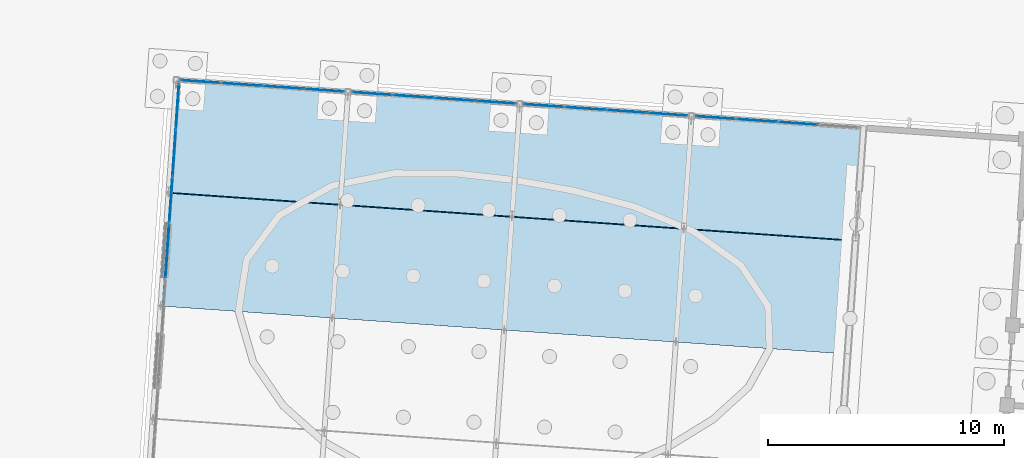
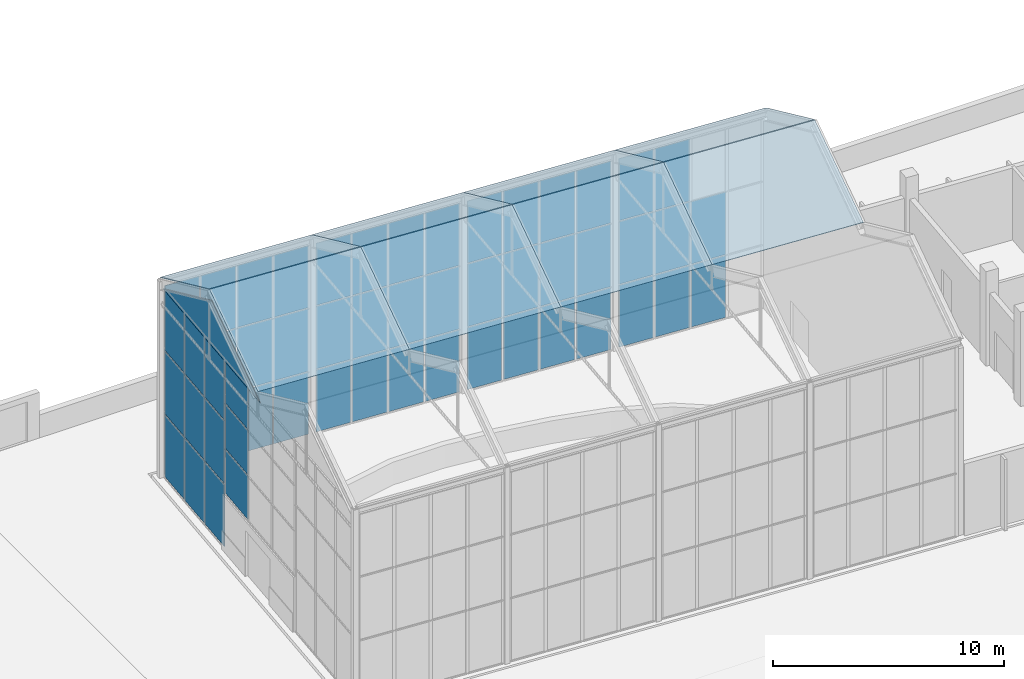
# One storey, part 72 of 157: 65 plates, 6 elements without a shape of their own.
"""IFC4 building model written with IfcOpenShell, lengths in metres."""

from ifc_helpers import new_model, si_unit, direction, frame, origin, origin_2d, place, context, subcontext, project, spatial, polyline, rectangle, outline, extrude, material, layer, layer_set, type_object, element, aggregate, save


model = new_model("IFC4")

# Units and contexts
model_context = context("Model", 3, precision=1e-05, world=origin(), true_north=direction((0.0, 1.0)))
body_context = subcontext(model_context, "Body", "Model", "MODEL_VIEW")
ifc_project = project(units=[si_unit("LENGTHUNIT", "METRE"), si_unit("AREAUNIT", "SQUARE_METRE"), si_unit("VOLUMEUNIT", "CUBIC_METRE"), si_unit("PLANEANGLEUNIT", "RADIAN"), si_unit("MASSUNIT", "GRAM", prefix="KILO")], contexts=[model_context])

# Site, building, storey
site_placement = place(None, origin())
site = spatial("IfcSite", under=ifc_project, at=site_placement, CompositionType="ELEMENT")
building_placement = place(site_placement, origin())
building = spatial("IfcBuilding", under=site, at=building_placement, Name="Windward Yard Aquatics Centre", CompositionType="ELEMENT")
storey_placement = place(building_placement, origin())
storey = spatial("IfcBuildingStorey", under=building, at=storey_placement, Name="L00", CompositionType="ELEMENT", Elevation=0.0)

# Curtain wall, plates
ifc_material_1 = material(Name="Aluminium curtain wall system", Category="aluminium")
curtain_wall_type = type_object("IfcCurtainWallType", Name="W curtain wall 1900", PredefinedType="NOTDEFINED", material=ifc_material_1)
curtain_wall_1_placement = place(storey_placement, origin())
curtain_wall_1 = element("IfcCurtainWall", 1, at=curtain_wall_1_placement, inside=storey, type_object=curtain_wall_type, Name="Wing north glazing L00 1", PredefinedType="NOTDEFINED")
ifc_material_2 = material(Name="Double glazed unit")
ifc_layer_1 = layer(ifc_material_2, 0.028076171875)
ifc_layer_set_1 = layer_set([ifc_layer_1], Name="W CW panel IGU 28")
plate_type_1 = type_object("IfcPlateType", Name="W CW panel IGU 28", PredefinedType="CURTAIN_PANEL", material=ifc_layer_set_1)
plate_1_placement = place(storey_placement, frame((74.210693359375, 138.46533203125, 0.06005859375), z_axis=(0.0, 0.0, 1.0), x_axis=(0.997564065823, -0.069756251182, 0.0)))
plate_1 = element("IfcPlate", 2, at=plate_1_placement, type_object=plate_type_1, Name="WCW1 panel 1.1", PredefinedType="CURTAIN_PANEL", context=body_context, shape_type="SweptSolid", body=[
    extrude(rectangle(XDim=1.67138671875, YDim=0.028076171875, at=origin_2d()), origin(), (0.0, 0.0, 1.0), 3.27587890625),
])
plate_2_placement = place(storey_placement, frame((74.210693359375, 138.46533203125, 3.39599609375), z_axis=(0.0, 0.0, 1.0), x_axis=(0.997564065823, -0.069756251182, 0.0)))
plate_2 = element("IfcPlate", 3, at=plate_2_placement, type_object=plate_type_1, Name="WCW1 panel 1.2", PredefinedType="CURTAIN_PANEL", context=body_context, shape_type="SweptSolid", body=[
    extrude(rectangle(XDim=1.67138671875, YDim=0.028076171875, at=origin_2d()), origin(), (0.0, 0.0, 1.0), 3.305908203125),
])
plate_3_placement = place(storey_placement, frame((74.210693359375, 138.46533203125, 6.761962890625), z_axis=(0.0, 0.0, 1.0), x_axis=(0.997564065823, -0.069756251182, 0.0)))
plate_3 = element("IfcPlate", 4, at=plate_3_placement, type_object=plate_type_1, Name="WCW1 panel 1.3", PredefinedType="CURTAIN_PANEL", context=body_context, shape_type="SweptSolid", body=[
    extrude(rectangle(XDim=1.67138671875, YDim=0.028076171875, at=origin_2d()), origin(), (0.0, 0.0, 1.0), 3.27587890625),
])
plate_4_placement = place(storey_placement, frame((75.952880859375, 138.343505859375, 0.06005859375), z_axis=(0.0, 0.0, 1.0), x_axis=(0.997564065823, -0.069756251182, 0.0)))
plate_4 = element("IfcPlate", 5, at=plate_4_placement, type_object=plate_type_1, Name="WCW1 panel 2.1", PredefinedType="CURTAIN_PANEL", context=body_context, shape_type="SweptSolid", body=[
    extrude(rectangle(XDim=1.701416015625, YDim=0.028076171875, at=origin_2d()), origin(), (0.0, 0.0, 1.0), 3.27587890625),
])
plate_5_placement = place(storey_placement, frame((75.952880859375, 138.343505859375, 3.39599609375), z_axis=(0.0, 0.0, 1.0), x_axis=(0.997564065823, -0.069756251182, 0.0)))
plate_5 = element("IfcPlate", 6, at=plate_5_placement, type_object=plate_type_1, Name="WCW1 panel 2.2", PredefinedType="CURTAIN_PANEL", context=body_context, shape_type="SweptSolid", body=[
    extrude(rectangle(XDim=1.701416015625, YDim=0.028076171875, at=origin_2d()), origin(), (0.0, 0.0, 1.0), 3.305908203125),
])
plate_6_placement = place(storey_placement, frame((75.952880859375, 138.343505859375, 6.761962890625), z_axis=(0.0, 0.0, 1.0), x_axis=(0.997564065823, -0.069756251182, 0.0)))
plate_6 = element("IfcPlate", 7, at=plate_6_placement, type_object=plate_type_1, Name="WCW1 panel 2.3", PredefinedType="CURTAIN_PANEL", context=body_context, shape_type="SweptSolid", body=[
    extrude(rectangle(XDim=1.701416015625, YDim=0.028076171875, at=origin_2d()), origin(), (0.0, 0.0, 1.0), 3.27587890625),
])
plate_7_placement = place(storey_placement, frame((77.710205078125, 138.220458984375, 0.06005859375), z_axis=(0.0, 0.0, 1.0), x_axis=(0.997564065823, -0.069756251182, 0.0)))
plate_7 = element("IfcPlate", 8, at=plate_7_placement, type_object=plate_type_1, Name="WCW1 panel 3.1", PredefinedType="CURTAIN_PANEL", context=body_context, shape_type="SweptSolid", body=[
    extrude(rectangle(XDim=1.701416015625, YDim=0.028076171875, at=origin_2d()), origin(), (0.0, 0.0, 1.0), 3.27587890625),
])
plate_8_placement = place(storey_placement, frame((77.710205078125, 138.220458984375, 3.39599609375), z_axis=(0.0, 0.0, 1.0), x_axis=(0.997564065823, -0.069756251182, 0.0)))
plate_8 = element("IfcPlate", 9, at=plate_8_placement, type_object=plate_type_1, Name="WCW1 panel 3.2", PredefinedType="CURTAIN_PANEL", context=body_context, shape_type="SweptSolid", body=[
    extrude(rectangle(XDim=1.701416015625, YDim=0.028076171875, at=origin_2d()), origin(), (0.0, 0.0, 1.0), 3.305908203125),
])
plate_9_placement = place(storey_placement, frame((77.710205078125, 138.220458984375, 6.761962890625), z_axis=(0.0, 0.0, 1.0), x_axis=(0.997564065823, -0.069756251182, 0.0)))
plate_9 = element("IfcPlate", 10, at=plate_9_placement, type_object=plate_type_1, Name="WCW1 panel 3.3", PredefinedType="CURTAIN_PANEL", context=body_context, shape_type="SweptSolid", body=[
    extrude(rectangle(XDim=1.701416015625, YDim=0.028076171875, at=origin_2d()), origin(), (0.0, 0.0, 1.0), 3.27587890625),
])
plate_10_placement = place(storey_placement, frame((79.452392578125, 138.0986328125, 0.06005859375), z_axis=(0.0, 0.0, 1.0), x_axis=(0.997564065823, -0.069756251182, 0.0)))
plate_10 = element("IfcPlate", 11, at=plate_10_placement, type_object=plate_type_1, Name="WCW1 panel 4.1", PredefinedType="CURTAIN_PANEL", context=body_context, shape_type="SweptSolid", body=[
    extrude(rectangle(XDim=1.67138671875, YDim=0.028076171875, at=origin_2d()), origin(), (0.0, 0.0, 1.0), 3.27587890625),
])
plate_11_placement = place(storey_placement, frame((79.452392578125, 138.0986328125, 3.39599609375), z_axis=(0.0, 0.0, 1.0), x_axis=(0.997564065823, -0.069756251182, 0.0)))
plate_11 = element("IfcPlate", 12, at=plate_11_placement, type_object=plate_type_1, Name="WCW1 panel 4.2", PredefinedType="CURTAIN_PANEL", context=body_context, shape_type="SweptSolid", body=[
    extrude(rectangle(XDim=1.67138671875, YDim=0.028076171875, at=origin_2d()), origin(), (0.0, 0.0, 1.0), 3.305908203125),
])
plate_12_placement = place(storey_placement, frame((79.452392578125, 138.0986328125, 6.761962890625), z_axis=(0.0, 0.0, 1.0), x_axis=(0.997564065823, -0.069756251182, 0.0)))
plate_12 = element("IfcPlate", 13, at=plate_12_placement, type_object=plate_type_1, Name="WCW1 panel 4.3", PredefinedType="CURTAIN_PANEL", context=body_context, shape_type="SweptSolid", body=[
    extrude(rectangle(XDim=1.67138671875, YDim=0.028076171875, at=origin_2d()), origin(), (0.0, 0.0, 1.0), 3.27587890625),
])
aggregate(curtain_wall_1, [plate_1, plate_2, plate_3, plate_4, plate_5, plate_6, plate_7, plate_8, plate_9, plate_10, plate_11, plate_12])

curtain_wall_2_placement = place(storey_placement, origin())
curtain_wall_2 = element("IfcCurtainWall", 14, at=curtain_wall_2_placement, inside=storey, type_object=curtain_wall_type, Name="Wing north glazing L00 2", PredefinedType="NOTDEFINED")
plate_13_placement = place(storey_placement, frame((81.492919921875, 137.9560546875, 0.06005859375), z_axis=(0.0, 0.0, 1.0), x_axis=(0.997564065823, -0.069756251182, 0.0)))
plate_13 = element("IfcPlate", 15, at=plate_13_placement, type_object=plate_type_1, Name="WCW1 panel 1.1", PredefinedType="CURTAIN_PANEL", context=body_context, shape_type="SweptSolid", body=[
    extrude(rectangle(XDim=1.67138671875, YDim=0.028076171875, at=origin_2d()), origin(), (0.0, 0.0, 1.0), 3.27587890625),
])
plate_14_placement = place(storey_placement, frame((81.492919921875, 137.9560546875, 3.39599609375), z_axis=(0.0, 0.0, 1.0), x_axis=(0.997564065823, -0.069756251182, 0.0)))
plate_14 = element("IfcPlate", 16, at=plate_14_placement, type_object=plate_type_1, Name="WCW1 panel 1.2", PredefinedType="CURTAIN_PANEL", context=body_context, shape_type="SweptSolid", body=[
    extrude(rectangle(XDim=1.67138671875, YDim=0.028076171875, at=origin_2d()), origin(), (0.0, 0.0, 1.0), 3.305908203125),
])
plate_15_placement = place(storey_placement, frame((81.492919921875, 137.9560546875, 6.761962890625), z_axis=(0.0, 0.0, 1.0), x_axis=(0.997564065823, -0.069756251182, 0.0)))
plate_15 = element("IfcPlate", 17, at=plate_15_placement, type_object=plate_type_1, Name="WCW1 panel 1.3", PredefinedType="CURTAIN_PANEL", context=body_context, shape_type="SweptSolid", body=[
    extrude(rectangle(XDim=1.67138671875, YDim=0.028076171875, at=origin_2d()), origin(), (0.0, 0.0, 1.0), 3.27587890625),
])
plate_16_placement = place(storey_placement, frame((83.235107421875, 137.834228515625, 0.06005859375), z_axis=(0.0, 0.0, 1.0), x_axis=(0.997564065823, -0.069756251182, 0.0)))
plate_16 = element("IfcPlate", 18, at=plate_16_placement, type_object=plate_type_1, Name="WCW1 panel 2.1", PredefinedType="CURTAIN_PANEL", context=body_context, shape_type="SweptSolid", body=[
    extrude(rectangle(XDim=1.701416015625, YDim=0.028076171875, at=origin_2d()), origin(), (0.0, 0.0, 1.0), 3.27587890625),
])
plate_17_placement = place(storey_placement, frame((83.235107421875, 137.834228515625, 3.39599609375), z_axis=(0.0, 0.0, 1.0), x_axis=(0.997564065823, -0.069756251182, 0.0)))
plate_17 = element("IfcPlate", 19, at=plate_17_placement, type_object=plate_type_1, Name="WCW1 panel 2.2", PredefinedType="CURTAIN_PANEL", context=body_context, shape_type="SweptSolid", body=[
    extrude(rectangle(XDim=1.701416015625, YDim=0.028076171875, at=origin_2d()), origin(), (0.0, 0.0, 1.0), 3.305908203125),
])
plate_18_placement = place(storey_placement, frame((83.235107421875, 137.834228515625, 6.761962890625), z_axis=(0.0, 0.0, 1.0), x_axis=(0.997564065823, -0.069756251182, 0.0)))
plate_18 = element("IfcPlate", 20, at=plate_18_placement, type_object=plate_type_1, Name="WCW1 panel 2.3", PredefinedType="CURTAIN_PANEL", context=body_context, shape_type="SweptSolid", body=[
    extrude(rectangle(XDim=1.701416015625, YDim=0.028076171875, at=origin_2d()), origin(), (0.0, 0.0, 1.0), 3.27587890625),
])
plate_19_placement = place(storey_placement, frame((84.992431640625, 137.71142578125, 0.06005859375), z_axis=(0.0, 0.0, 1.0), x_axis=(0.997564065823, -0.069756251182, 0.0)))
plate_19 = element("IfcPlate", 21, at=plate_19_placement, type_object=plate_type_1, Name="WCW1 panel 3.1", PredefinedType="CURTAIN_PANEL", context=body_context, shape_type="SweptSolid", body=[
    extrude(rectangle(XDim=1.701416015625, YDim=0.028076171875, at=origin_2d()), origin(), (0.0, 0.0, 1.0), 3.27587890625),
])
plate_20_placement = place(storey_placement, frame((84.992431640625, 137.71142578125, 3.39599609375), z_axis=(0.0, 0.0, 1.0), x_axis=(0.997564065823, -0.069756251182, 0.0)))
plate_20 = element("IfcPlate", 22, at=plate_20_placement, type_object=plate_type_1, Name="WCW1 panel 3.2", PredefinedType="CURTAIN_PANEL", context=body_context, shape_type="SweptSolid", body=[
    extrude(rectangle(XDim=1.701416015625, YDim=0.028076171875, at=origin_2d()), origin(), (0.0, 0.0, 1.0), 3.305908203125),
])
plate_21_placement = place(storey_placement, frame((84.992431640625, 137.71142578125, 6.761962890625), z_axis=(0.0, 0.0, 1.0), x_axis=(0.997564065823, -0.069756251182, 0.0)))
plate_21 = element("IfcPlate", 23, at=plate_21_placement, type_object=plate_type_1, Name="WCW1 panel 3.3", PredefinedType="CURTAIN_PANEL", context=body_context, shape_type="SweptSolid", body=[
    extrude(rectangle(XDim=1.701416015625, YDim=0.028076171875, at=origin_2d()), origin(), (0.0, 0.0, 1.0), 3.27587890625),
])
plate_22_placement = place(storey_placement, frame((86.734619140625, 137.589599609375, 0.06005859375), z_axis=(0.0, 0.0, 1.0), x_axis=(0.997564065823, -0.069756251182, 0.0)))
plate_22 = element("IfcPlate", 24, at=plate_22_placement, type_object=plate_type_1, Name="WCW1 panel 4.1", PredefinedType="CURTAIN_PANEL", context=body_context, shape_type="SweptSolid", body=[
    extrude(rectangle(XDim=1.67138671875, YDim=0.028076171875, at=origin_2d()), origin(), (0.0, 0.0, 1.0), 3.27587890625),
])
plate_23_placement = place(storey_placement, frame((86.734619140625, 137.589599609375, 3.39599609375), z_axis=(0.0, 0.0, 1.0), x_axis=(0.997564065823, -0.069756251182, 0.0)))
plate_23 = element("IfcPlate", 25, at=plate_23_placement, type_object=plate_type_1, Name="WCW1 panel 4.2", PredefinedType="CURTAIN_PANEL", context=body_context, shape_type="SweptSolid", body=[
    extrude(rectangle(XDim=1.67138671875, YDim=0.028076171875, at=origin_2d()), origin(), (0.0, 0.0, 1.0), 3.305908203125),
])
plate_24_placement = place(storey_placement, frame((86.734619140625, 137.589599609375, 6.761962890625), z_axis=(0.0, 0.0, 1.0), x_axis=(0.997564065823, -0.069756251182, 0.0)))
plate_24 = element("IfcPlate", 26, at=plate_24_placement, type_object=plate_type_1, Name="WCW1 panel 4.3", PredefinedType="CURTAIN_PANEL", context=body_context, shape_type="SweptSolid", body=[
    extrude(rectangle(XDim=1.67138671875, YDim=0.028076171875, at=origin_2d()), origin(), (0.0, 0.0, 1.0), 3.27587890625),
])
aggregate(curtain_wall_2, [plate_13, plate_14, plate_15, plate_16, plate_17, plate_18, plate_19, plate_20, plate_21, plate_22, plate_23, plate_24])

curtain_wall_3_placement = place(storey_placement, origin())
curtain_wall_3 = element("IfcCurtainWall", 27, at=curtain_wall_3_placement, inside=storey, type_object=curtain_wall_type, Name="Wing north glazing L00 3", PredefinedType="NOTDEFINED")
plate_25_placement = place(storey_placement, frame((88.775146484375, 137.44677734375, 0.06005859375), z_axis=(0.0, 0.0, 1.0), x_axis=(0.997564065823, -0.069756251182, 0.0)))
plate_25 = element("IfcPlate", 28, at=plate_25_placement, type_object=plate_type_1, Name="WCW1 panel 1.1", PredefinedType="CURTAIN_PANEL", context=body_context, shape_type="SweptSolid", body=[
    extrude(rectangle(XDim=1.67138671875, YDim=0.028076171875, at=origin_2d()), origin(), (0.0, 0.0, 1.0), 3.27587890625),
])
plate_26_placement = place(storey_placement, frame((88.775146484375, 137.44677734375, 3.39599609375), z_axis=(0.0, 0.0, 1.0), x_axis=(0.997564065823, -0.069756251182, 0.0)))
plate_26 = element("IfcPlate", 29, at=plate_26_placement, type_object=plate_type_1, Name="WCW1 panel 1.2", PredefinedType="CURTAIN_PANEL", context=body_context, shape_type="SweptSolid", body=[
    extrude(rectangle(XDim=1.67138671875, YDim=0.028076171875, at=origin_2d()), origin(), (0.0, 0.0, 1.0), 3.305908203125),
])
plate_27_placement = place(storey_placement, frame((88.775146484375, 137.44677734375, 6.761962890625), z_axis=(0.0, 0.0, 1.0), x_axis=(0.997564065823, -0.069756251182, 0.0)))
plate_27 = element("IfcPlate", 30, at=plate_27_placement, type_object=plate_type_1, Name="WCW1 panel 1.3", PredefinedType="CURTAIN_PANEL", context=body_context, shape_type="SweptSolid", body=[
    extrude(rectangle(XDim=1.67138671875, YDim=0.028076171875, at=origin_2d()), origin(), (0.0, 0.0, 1.0), 3.27587890625),
])
plate_28_placement = place(storey_placement, frame((90.517333984375, 137.324951171875, 0.06005859375), z_axis=(0.0, 0.0, 1.0), x_axis=(0.997564065823, -0.069756251182, 0.0)))
plate_28 = element("IfcPlate", 31, at=plate_28_placement, type_object=plate_type_1, Name="WCW1 panel 2.1", PredefinedType="CURTAIN_PANEL", context=body_context, shape_type="SweptSolid", body=[
    extrude(rectangle(XDim=1.701416015625, YDim=0.028076171875, at=origin_2d()), origin(), (0.0, 0.0, 1.0), 3.27587890625),
])
plate_29_placement = place(storey_placement, frame((90.517333984375, 137.324951171875, 3.39599609375), z_axis=(0.0, 0.0, 1.0), x_axis=(0.997564065823, -0.069756251182, 0.0)))
plate_29 = element("IfcPlate", 32, at=plate_29_placement, type_object=plate_type_1, Name="WCW1 panel 2.2", PredefinedType="CURTAIN_PANEL", context=body_context, shape_type="SweptSolid", body=[
    extrude(rectangle(XDim=1.701416015625, YDim=0.028076171875, at=origin_2d()), origin(), (0.0, 0.0, 1.0), 3.305908203125),
])
plate_30_placement = place(storey_placement, frame((90.517333984375, 137.324951171875, 6.761962890625), z_axis=(0.0, 0.0, 1.0), x_axis=(0.997564065823, -0.069756251182, 0.0)))
plate_30 = element("IfcPlate", 33, at=plate_30_placement, type_object=plate_type_1, Name="WCW1 panel 2.3", PredefinedType="CURTAIN_PANEL", context=body_context, shape_type="SweptSolid", body=[
    extrude(rectangle(XDim=1.701416015625, YDim=0.028076171875, at=origin_2d()), origin(), (0.0, 0.0, 1.0), 3.27587890625),
])
plate_31_placement = place(storey_placement, frame((92.274658203125, 137.201904296875, 0.06005859375), z_axis=(0.0, 0.0, 1.0), x_axis=(0.997564065823, -0.069756251182, 0.0)))
plate_31 = element("IfcPlate", 34, at=plate_31_placement, type_object=plate_type_1, Name="WCW1 panel 3.1", PredefinedType="CURTAIN_PANEL", context=body_context, shape_type="SweptSolid", body=[
    extrude(rectangle(XDim=1.701416015625, YDim=0.028076171875, at=origin_2d()), origin(), (0.0, 0.0, 1.0), 3.27587890625),
])
plate_32_placement = place(storey_placement, frame((92.274658203125, 137.201904296875, 3.39599609375), z_axis=(0.0, 0.0, 1.0), x_axis=(0.997564065823, -0.069756251182, 0.0)))
plate_32 = element("IfcPlate", 35, at=plate_32_placement, type_object=plate_type_1, Name="WCW1 panel 3.2", PredefinedType="CURTAIN_PANEL", context=body_context, shape_type="SweptSolid", body=[
    extrude(rectangle(XDim=1.701416015625, YDim=0.028076171875, at=origin_2d()), origin(), (0.0, 0.0, 1.0), 3.305908203125),
])
plate_33_placement = place(storey_placement, frame((92.274658203125, 137.201904296875, 6.761962890625), z_axis=(0.0, 0.0, 1.0), x_axis=(0.997564065823, -0.069756251182, 0.0)))
plate_33 = element("IfcPlate", 36, at=plate_33_placement, type_object=plate_type_1, Name="WCW1 panel 3.3", PredefinedType="CURTAIN_PANEL", context=body_context, shape_type="SweptSolid", body=[
    extrude(rectangle(XDim=1.701416015625, YDim=0.028076171875, at=origin_2d()), origin(), (0.0, 0.0, 1.0), 3.27587890625),
])
plate_34_placement = place(storey_placement, frame((94.016845703125, 137.080078125, 0.06005859375), z_axis=(0.0, 0.0, 1.0), x_axis=(0.997564065823, -0.069756251182, 0.0)))
plate_34 = element("IfcPlate", 37, at=plate_34_placement, type_object=plate_type_1, Name="WCW1 panel 4.1", PredefinedType="CURTAIN_PANEL", context=body_context, shape_type="SweptSolid", body=[
    extrude(rectangle(XDim=1.67138671875, YDim=0.028076171875, at=origin_2d()), origin(), (0.0, 0.0, 1.0), 3.27587890625),
])
plate_35_placement = place(storey_placement, frame((94.016845703125, 137.080078125, 3.39599609375), z_axis=(0.0, 0.0, 1.0), x_axis=(0.997564065823, -0.069756251182, 0.0)))
plate_35 = element("IfcPlate", 38, at=plate_35_placement, type_object=plate_type_1, Name="WCW1 panel 4.2", PredefinedType="CURTAIN_PANEL", context=body_context, shape_type="SweptSolid", body=[
    extrude(rectangle(XDim=1.67138671875, YDim=0.028076171875, at=origin_2d()), origin(), (0.0, 0.0, 1.0), 3.305908203125),
])
plate_36_placement = place(storey_placement, frame((94.016845703125, 137.080078125, 6.761962890625), z_axis=(0.0, 0.0, 1.0), x_axis=(0.997564065823, -0.069756251182, 0.0)))
plate_36 = element("IfcPlate", 39, at=plate_36_placement, type_object=plate_type_1, Name="WCW1 panel 4.3", PredefinedType="CURTAIN_PANEL", context=body_context, shape_type="SweptSolid", body=[
    extrude(rectangle(XDim=1.67138671875, YDim=0.028076171875, at=origin_2d()), origin(), (0.0, 0.0, 1.0), 3.27587890625),
])
aggregate(curtain_wall_3, [plate_25, plate_26, plate_27, plate_28, plate_29, plate_30, plate_31, plate_32, plate_33, plate_34, plate_35, plate_36])

curtain_wall_4_placement = place(storey_placement, origin())
curtain_wall_4 = element("IfcCurtainWall", 40, at=curtain_wall_4_placement, inside=storey, type_object=curtain_wall_type, Name="Wing north glazing L00 4", PredefinedType="NOTDEFINED")
plate_37_placement = place(storey_placement, frame((96.054443359375, 136.937744140625, 0.06005859375), z_axis=(0.0, 0.0, 1.0), x_axis=(0.997564052754, -0.069756438069, 0.0)))
plate_37 = element("IfcPlate", 41, at=plate_37_placement, type_object=plate_type_1, Name="WCW1 panel 1.1", PredefinedType="CURTAIN_PANEL", context=body_context, shape_type="SweptSolid", body=[
    extrude(rectangle(XDim=1.665771484375, YDim=0.028076171875, at=origin_2d()), origin(), (0.0, 0.0, 1.0), 3.27587890625),
])
plate_38_placement = place(storey_placement, frame((96.054443359375, 136.937744140625, 3.39599609375), z_axis=(0.0, 0.0, 1.0), x_axis=(0.997564052754, -0.069756438069, 0.0)))
plate_38 = element("IfcPlate", 42, at=plate_38_placement, type_object=plate_type_1, Name="WCW1 panel 1.2", PredefinedType="CURTAIN_PANEL", context=body_context, shape_type="SweptSolid", body=[
    extrude(rectangle(XDim=1.665771484375, YDim=0.028076171875, at=origin_2d()), origin(), (0.0, 0.0, 1.0), 3.305908203125),
])
plate_39_placement = place(storey_placement, frame((96.054443359375, 136.937744140625, 6.761962890625), z_axis=(0.0, 0.0, 1.0), x_axis=(0.997564052754, -0.069756438069, 0.0)))
plate_39 = element("IfcPlate", 43, at=plate_39_placement, type_object=plate_type_1, Name="WCW1 panel 1.3", PredefinedType="CURTAIN_PANEL", context=body_context, shape_type="SweptSolid", body=[
    extrude(rectangle(XDim=1.665771484375, YDim=0.028076171875, at=origin_2d()), origin(), (0.0, 0.0, 1.0), 3.27587890625),
])
plate_40_placement = place(storey_placement, frame((97.791015625, 136.81640625, 0.06005859375), z_axis=(0.0, 0.0, 1.0), x_axis=(0.997564052754, -0.069756438069, 0.0)))
plate_40 = element("IfcPlate", 44, at=plate_40_placement, type_object=plate_type_1, Name="WCW1 panel 2.1", PredefinedType="CURTAIN_PANEL", context=body_context, shape_type="SweptSolid", body=[
    extrude(rectangle(XDim=1.69580078125, YDim=0.028076171875, at=origin_2d()), origin(), (0.0, 0.0, 1.0), 3.27587890625),
])
plate_41_placement = place(storey_placement, frame((97.791015625, 136.81640625, 3.39599609375), z_axis=(0.0, 0.0, 1.0), x_axis=(0.997564052754, -0.069756438069, 0.0)))
plate_41 = element("IfcPlate", 45, at=plate_41_placement, type_object=plate_type_1, Name="WCW1 panel 2.2", PredefinedType="CURTAIN_PANEL", context=body_context, shape_type="SweptSolid", body=[
    extrude(rectangle(XDim=1.69580078125, YDim=0.028076171875, at=origin_2d()), origin(), (0.0, 0.0, 1.0), 3.305908203125),
])
plate_42_placement = place(storey_placement, frame((97.791015625, 136.81640625, 6.761962890625), z_axis=(0.0, 0.0, 1.0), x_axis=(0.997564052754, -0.069756438069, 0.0)))
plate_42 = element("IfcPlate", 46, at=plate_42_placement, type_object=plate_type_1, Name="WCW1 panel 2.3", PredefinedType="CURTAIN_PANEL", context=body_context, shape_type="SweptSolid", body=[
    extrude(rectangle(XDim=1.69580078125, YDim=0.028076171875, at=origin_2d()), origin(), (0.0, 0.0, 1.0), 3.27587890625),
])
plate_43_placement = place(storey_placement, frame((99.54248046875, 136.69384765625, 0.06005859375), z_axis=(0.0, 0.0, 1.0), x_axis=(0.997564052754, -0.069756438069, 0.0)))
plate_43 = element("IfcPlate", 47, at=plate_43_placement, type_object=plate_type_1, Name="WCW1 panel 3.1", PredefinedType="CURTAIN_PANEL", context=body_context, shape_type="SweptSolid", body=[
    extrude(rectangle(XDim=1.69580078125, YDim=0.028076171875, at=origin_2d()), origin(), (0.0, 0.0, 1.0), 3.27587890625),
])
plate_44_placement = place(storey_placement, frame((99.54248046875, 136.69384765625, 3.39599609375), z_axis=(0.0, 0.0, 1.0), x_axis=(0.997564052754, -0.069756438069, 0.0)))
plate_44 = element("IfcPlate", 48, at=plate_44_placement, type_object=plate_type_1, Name="WCW1 panel 3.2", PredefinedType="CURTAIN_PANEL", context=body_context, shape_type="SweptSolid", body=[
    extrude(rectangle(XDim=1.69580078125, YDim=0.028076171875, at=origin_2d()), origin(), (0.0, 0.0, 1.0), 3.305908203125),
])
aggregate(curtain_wall_4, [plate_37, plate_38, plate_39, plate_40, plate_41, plate_42, plate_43, plate_44])

curtain_wall_5_placement = place(storey_placement, origin())
curtain_wall_5 = element("IfcCurtainWall", 49, at=curtain_wall_5_placement, inside=storey, type_object=curtain_wall_type, Name="Wing west glazing L00 2", PredefinedType="NOTDEFINED")
plate_45_placement = place(storey_placement, frame((72.962158203125, 133.450439453125, 0.06005859375), z_axis=(0.0, 0.0, 1.0), x_axis=(0.069746659268, 0.997564736506, 0.0)))
plate_45 = element("IfcPlate", 50, at=plate_45_placement, type_object=plate_type_1, Name="WCW1 panel 1.1", PredefinedType="CURTAIN_PANEL", context=body_context, shape_type="SweptSolid", body=[
    extrude(rectangle(XDim=1.901123046875, YDim=0.028076171875, at=origin_2d()), origin(), (0.0, 0.0, 1.0), 3.27587890625),
])
plate_46_placement = place(storey_placement, frame((72.962158203125, 133.450439453125, 3.39599609375), z_axis=(0.0, 0.0, 1.0), x_axis=(0.069746659268, 0.997564736506, 0.0)))
plate_46 = element("IfcPlate", 51, at=plate_46_placement, type_object=plate_type_1, Name="WCW1 panel 1.2", PredefinedType="CURTAIN_PANEL", context=body_context, shape_type="SweptSolid", body=[
    extrude(rectangle(XDim=1.901123046875, YDim=0.028076171875, at=origin_2d()), origin(), (0.0, 0.0, 1.0), 3.305908203125),
])
plate_47_placement = place(storey_placement, frame((72.962158203125, 133.450439453125, 6.761962890625), z_axis=(0.0, 0.0, 1.0), x_axis=(0.069746659268, 0.997564736506, 0.0)))
plate_47 = element("IfcPlate", 52, at=plate_47_placement, type_object=plate_type_1, Name="WCW1 panel 1.3", PredefinedType="CURTAIN_PANEL", context=body_context, shape_type="SweptSolid", body=[
    extrude(rectangle(XDim=1.901123046875, YDim=0.028076171875, at=origin_2d()), origin(), (0.0, 0.0, 1.0), 3.27587890625),
])
plate_48_placement = place(storey_placement, frame((73.10009765625, 135.421630859375, 0.06005859375), z_axis=(0.0, 0.0, 1.0), x_axis=(0.069746659268, 0.997564736506, 0.0)))
plate_48 = element("IfcPlate", 53, at=plate_48_placement, type_object=plate_type_1, Name="WCW1 panel 2.1", PredefinedType="CURTAIN_PANEL", context=body_context, shape_type="SweptSolid", body=[
    extrude(rectangle(XDim=1.930908203125, YDim=0.028076171875, at=origin_2d()), origin(), (0.0, 0.0, 1.0), 3.27587890625),
])
plate_49_placement = place(storey_placement, frame((73.10009765625, 135.421630859375, 3.39599609375), z_axis=(0.0, 0.0, 1.0), x_axis=(0.069746659268, 0.997564736506, 0.0)))
plate_49 = element("IfcPlate", 54, at=plate_49_placement, type_object=plate_type_1, Name="WCW1 panel 2.2", PredefinedType="CURTAIN_PANEL", context=body_context, shape_type="SweptSolid", body=[
    extrude(rectangle(XDim=1.930908203125, YDim=0.028076171875, at=origin_2d()), origin(), (0.0, 0.0, 1.0), 3.305908203125),
])
plate_50_placement = place(storey_placement, frame((73.10009765625, 135.421630859375, 6.761962890625), z_axis=(0.0, 0.0, 1.0), x_axis=(0.069746659268, 0.997564736506, 0.0)))
plate_50 = element("IfcPlate", 55, at=plate_50_placement, type_object=plate_type_1, Name="WCW1 panel 2.3", PredefinedType="CURTAIN_PANEL", context=body_context, shape_type="SweptSolid", body=[
    extrude(rectangle(XDim=1.930908203125, YDim=0.028076171875, at=origin_2d()), origin(), (0.0, 0.0, 1.0), 3.27587890625),
])
plate_51_placement = place(storey_placement, frame((73.23779296875, 137.39306640625, 0.06005859375), z_axis=(0.0, 0.0, 1.0), x_axis=(0.069746659268, 0.997564736506, 0.0)))
plate_51 = element("IfcPlate", 56, at=plate_51_placement, type_object=plate_type_1, Name="WCW1 panel 3.1", PredefinedType="CURTAIN_PANEL", context=body_context, shape_type="SweptSolid", body=[
    extrude(rectangle(XDim=1.901123046875, YDim=0.028076171875, at=origin_2d()), origin(), (0.0, 0.0, 1.0), 3.27587890625),
])
plate_52_placement = place(storey_placement, frame((73.23779296875, 137.39306640625, 3.39599609375), z_axis=(0.0, 0.0, 1.0), x_axis=(0.069746659268, 0.997564736506, 0.0)))
plate_52 = element("IfcPlate", 57, at=plate_52_placement, type_object=plate_type_1, Name="WCW1 panel 3.2", PredefinedType="CURTAIN_PANEL", context=body_context, shape_type="SweptSolid", body=[
    extrude(rectangle(XDim=1.901123046875, YDim=0.028076171875, at=origin_2d()), origin(), (0.0, 0.0, 1.0), 3.305908203125),
])
plate_53_placement = place(storey_placement, frame((73.23779296875, 137.39306640625, 6.761962890625), z_axis=(0.0, 0.0, 1.0), x_axis=(0.069746659268, 0.997564736506, 0.0)))
plate_53 = element("IfcPlate", 58, at=plate_53_placement, type_object=plate_type_1, Name="WCW1 panel 3.3", PredefinedType="CURTAIN_PANEL", context=body_context, shape_type="SweptSolid", body=[
    extrude(rectangle(XDim=1.901123046875, YDim=0.028076171875, at=origin_2d()), origin(), (0.0, 0.0, 1.0), 3.27587890625),
])
aggregate(curtain_wall_5, [plate_45, plate_46, plate_47, plate_48, plate_49, plate_50, plate_51, plate_52, plate_53])

curtain_wall_6_placement = place(storey_placement, origin())
curtain_wall_6 = element("IfcCurtainWall", 59, at=curtain_wall_6_placement, inside=storey, type_object=curtain_wall_type, Name="Wing west glazing L00 3", PredefinedType="NOTDEFINED")
plate_54_placement = place(storey_placement, frame((72.809326171875, 131.263671875, 2.9599609375), z_axis=(0.0, 0.0, 1.0), x_axis=(0.069757620279, 0.997563970086, 0.0)))
plate_54 = element("IfcPlate", 60, at=plate_54_placement, type_object=plate_type_1, Name="WCW1 panel 3.1", PredefinedType="CURTAIN_PANEL", context=body_context, shape_type="SweptSolid", body=[
    extrude(rectangle(XDim=2.243408203125, YDim=0.028076171875, at=origin_2d()), origin(), (0.0, 0.0, 1.0), 2.309326171875),
])
plate_55_placement = place(storey_placement, frame((72.809326171875, 131.263671875, 5.329345703125), z_axis=(0.0, 0.0, 1.0), x_axis=(0.069757620279, 0.997563970086, 0.0)))
plate_55 = element("IfcPlate", 61, at=plate_55_placement, type_object=plate_type_1, Name="WCW1 panel 3.2", PredefinedType="CURTAIN_PANEL", context=body_context, shape_type="SweptSolid", body=[
    extrude(rectangle(XDim=2.243408203125, YDim=0.028076171875, at=origin_2d()), origin(), (0.0, 0.0, 1.0), 2.33935546875),
])
plate_56_placement = place(storey_placement, frame((72.809326171875, 131.263671875, 7.728515625), z_axis=(0.0, 0.0, 1.0), x_axis=(0.069757620279, 0.997563970086, 0.0)))
plate_56 = element("IfcPlate", 62, at=plate_56_placement, type_object=plate_type_1, Name="WCW1 panel 3.3", PredefinedType="CURTAIN_PANEL", context=body_context, shape_type="SweptSolid", body=[
    extrude(rectangle(XDim=2.243408203125, YDim=0.028076171875, at=origin_2d()), origin(), (0.0, 0.0, 1.0), 2.309326171875),
])
aggregate(curtain_wall_6, [plate_54, plate_55, plate_56])

# Plates
ifc_material_3 = material(Name="Laminated glass", Category="glass")
ifc_layer_2 = layer(ifc_material_3, 0.0400390625)
ifc_layer_set_2 = layer_set([ifc_layer_2], Name="W glazed roof panel 40")
plate_type_2 = type_object("IfcPlateType", Name="W glazed roof panel 40", PredefinedType="SHEET", material=ifc_layer_set_2)
plate_57_placement = place(storey_placement, frame((72.655029296875, 128.950439453125, 9.904052734375), z_axis=(0.997563958943, -0.069757761163, 5.0740791e-05), x_axis=(0.069757761253, 0.997563960228, 0.0)))
element("IfcPlate", 63, at=plate_57_placement, inside=storey, type_object=plate_type_2, Name="W.GLT.2", PredefinedType="SHEET", context=body_context, shape_type="SweptSolid", body=[
    extrude(outline(polyline([(0.0, 0.0), (9.600046, 0.0), (4.800015, 2.399902), (0.0, 0.0)])), origin(), (0.0, 0.0, -1.0), 0.030029296875),
])
plate_58_placement = place(storey_placement, frame((72.51953125, 128.942138671875, 10.535888671875), z_axis=(-0.031198183162, -0.446107098442, 0.894435648936), x_axis=(0.997563531133, -0.069763897209, 0.0)))
element("IfcPlate", 64, at=plate_58_placement, inside=storey, type_object=plate_type_2, Name="W.GRP.1.3", PredefinedType="SHEET", context=body_context, shape_type="SweptSolid", body=[
    extrude(outline(polyline([(0.0, 0.0), (7.300013, 0.0), (7.300105, 5.366548), (9.2e-05, 5.366548), (0.0, 0.0)])), origin(), (0.0, 0.0, -1.0), 0.0400390625),
])
plate_59_placement = place(storey_placement, frame((72.85693359375, 133.76611328125, 12.935791015625), z_axis=(0.031197707029, 0.446107768025, 0.894435331583), x_axis=(0.997563547408, -0.069763664481, 4.66614e-07)))
element("IfcPlate", 65, at=plate_59_placement, inside=storey, type_object=plate_type_2, Name="W.GRP.1.4", PredefinedType="SHEET", context=body_context, shape_type="SweptSolid", body=[
    extrude(outline(polyline([(0.0, 0.0), (7.300013, 0.0), (7.300105, 5.366548), (-0.000151, 5.366533), (0.0, 0.0)])), origin(), (0.0, 0.0, -1.0), 0.0400390625),
])
for number, where, z_axis, x_axis, name in (
    (66, (79.8017578125, 128.432861328125, 10.535888671875), (-0.031198747876, -0.446107695239, 0.89443533158), (0.997563514856, -0.069764129945, 4.6663e-07), "W.GRP.2.3"),
    (67, (80.13916015625, 133.2568359375, 12.935791015625), (0.031198747876, 0.446107695239, 0.89443533158), (0.997563514856, -0.069764129945, -4.6663e-07), "W.GRP.2.4"),
):
    element("IfcPlate", number, at=place(storey_placement, frame(where, z_axis=z_axis, x_axis=x_axis)), inside=storey, type_object=plate_type_2, Name=name, PredefinedType="SHEET", context=body_context, shape_type="SweptSolid", body=[
        extrude(outline(polyline([(0.0, 0.0), (7.300013, 0.0), (7.299862, 5.366533), (9.2e-05, 5.366548), (0.0, 0.0)])), origin(), (0.0, 0.0, -1.0), 0.0400390625),
    ])
plate_60_placement = place(storey_placement, frame((87.083984375, 127.923583984375, 10.535888671875), z_axis=(-0.031197707029, -0.446107768025, 0.894435331583), x_axis=(0.997563547408, -0.069763664481, -4.66614e-07)))
element("IfcPlate", 68, at=plate_60_placement, inside=storey, type_object=plate_type_2, Name="W.GRP.3.3", PredefinedType="SHEET", context=body_context, shape_type="SweptSolid", body=[
    extrude(outline(polyline([(0.0, 0.0), (7.300013, 0.0), (7.300105, 5.366548), (-0.000151, 5.366533), (0.0, 0.0)])), origin(), (0.0, 0.0, -1.0), 0.0400390625),
])
plate_61_placement = place(storey_placement, frame((87.42138671875, 132.74755859375, 12.935791015625), z_axis=(0.031198271725, 0.446108364825, 0.894435014227), x_axis=(0.997563531133, -0.069763897209, 0.0)))
element("IfcPlate", 69, at=plate_61_placement, inside=storey, type_object=plate_type_2, Name="W.GRP.3.4", PredefinedType="SHEET", context=body_context, shape_type="SweptSolid", body=[
    extrude(outline(polyline([(0.0, 0.0), (7.300013, 0.0), (7.299862, 5.366533), (-0.000151, 5.366533), (0.0, 0.0)])), origin(), (0.0, 0.0, -1.0), 0.0400390625),
])
plate_62_placement = place(storey_placement, frame((94.3662109375, 127.414306640625, 10.535888671875), z_axis=(-0.031183299946, -0.446108139469, 0.894435648722), x_axis=(0.997565858073, -0.069730616001, 0.0)))
element("IfcPlate", 70, at=plate_62_placement, inside=storey, type_object=plate_type_2, Name="W.GRP.4.3", PredefinedType="SHEET", context=body_context, shape_type="SweptSolid", body=[
    extrude(outline(polyline([(0.0, 0.0), (7.299996, 0.0), (7.300248, 5.366548), (0.000252, 5.366548), (0.0, 0.0)])), origin(), (0.0, 0.0, -1.0), 0.0400390625),
])
plate_63_placement = place(storey_placement, frame((94.70361328125, 132.23828125, 12.935791015625), z_axis=(0.031183388425, 0.446109405251, 0.894435014315), x_axis=(0.997565858073, -0.069730616001, 0.0)))
element("IfcPlate", 71, at=plate_63_placement, inside=storey, type_object=plate_type_2, Name="W.GRP.4.4", PredefinedType="SHEET", context=body_context, shape_type="SweptSolid", body=[
    extrude(outline(polyline([(0.0, 0.0), (7.299996, 0.0), (7.300005, 5.366533), (9e-06, 5.366533), (0.0, 0.0)])), origin(), (0.0, 0.0, -1.0), 0.0400390625),
])

save(model, "model.ifc")
